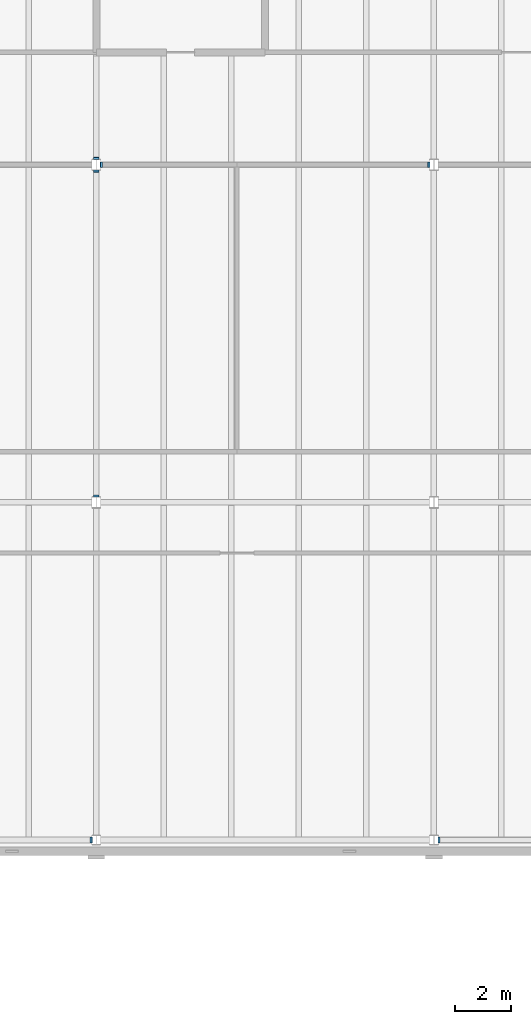
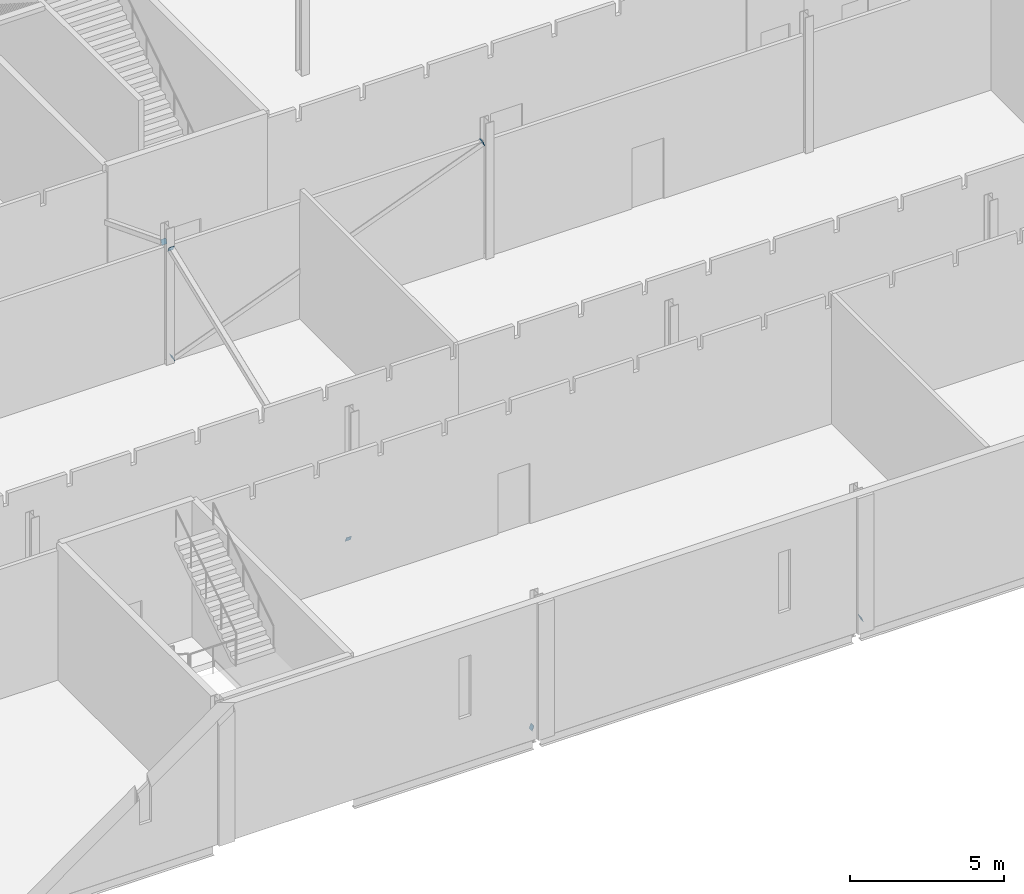
# One storey, part 138 of 170: 7 discrete accessories.
"""IFC4 building model written with IfcOpenShell, lengths in metres."""

from ifc_helpers import new_model, si_unit, direction, frame, origin, origin_2d, place, context, subcontext, project, spatial, rectangle, extrude, material, material_profile, profile_set, type_object, element, save


model = new_model("IFC4")

# Units and contexts
model_context = context("Model", 3, precision=1e-05, world=origin(), true_north=direction((0.0, 1.0)))
body_context = subcontext(model_context, "Body", "Model", "MODEL_VIEW")
ifc_project = project(units=[si_unit("LENGTHUNIT", "METRE"), si_unit("AREAUNIT", "SQUARE_METRE"), si_unit("VOLUMEUNIT", "CUBIC_METRE"), si_unit("PLANEANGLEUNIT", "RADIAN"), si_unit("MASSUNIT", "GRAM", prefix="KILO")], contexts=[model_context])

# Site, building, storey
site_placement = place(None, origin())
site = spatial("IfcSite", under=ifc_project, at=site_placement, CompositionType="ELEMENT")
building_placement = place(site_placement, origin())
building = spatial("IfcBuilding", under=site, at=building_placement, Name="Ravi Spectrum Wholesale Market", CompositionType="ELEMENT")
storey_placement = place(building_placement, frame((0.0, 0.0, 5.39990234375)))
storey = spatial("IfcBuildingStorey", under=building, at=storey_placement, Name="L01", CompositionType="ELEMENT", Elevation=5.39990234375)

# Discrete accessories
ifc_material = material(Name="Steel S355", Category="steel")
ifc_material_profile = material_profile(ifc_material, rectangle(XDim=0.199951171875, YDim=0.199951171875, at=origin_2d()))
ifc_profile_set = profile_set([ifc_material_profile], Name="Steel S355")
discrete_accessory_type = type_object("IfcDiscreteAccessoryType", Name="End plate SHS 200x200x8", PredefinedType="BRACKET", material=ifc_profile_set)
for number, where, z_axis, x_axis, name in (
    (1, (245.814208984375, 18.0, 0.093505859375), (0.931242779706, 0.0, -0.364399348581), (0.0, 1.0, 0.0), "End plate"),
    (2, (258.185791015625, 18.0, 0.093505859375), (-0.931242779706, 0.0, -0.364399348581), (0.0, -1.0, 0.0), "End plate"),
    (3, (246.185791015625, 42.0, 0.093505859375), (-0.931242779706, 0.0, -0.364399348581), (0.0, -1.0, 0.0), "End plate"),
    (4, (257.814208984375, 42.0, 4.556640625), (0.931242779706, 0.0, 0.364399348581), (0.0, 1.0, 0.0), "End plate"),
    (5, (246.0, 30.236572265625, 0.09326171875), (0.0, -0.931242779706, -0.364399348581), (1.0, 0.0, 0.0), "End plate"),
    (6, (246.0, 41.763427734375, 4.60693359375), (0.0, 0.931242779706, 0.364399348581), (-1.0, 0.0, 0.0), "End plate"),
    (7, (246.0, 42.236572265625, 4.60693359375), (0.0, -0.931242779706, 0.364399348581), (1.0, 0.0, 0.0), "End plate"),
):
    element("IfcDiscreteAccessory", number, at=place(storey_placement, frame(where, z_axis=z_axis, x_axis=x_axis)), inside=storey, type_object=discrete_accessory_type, Name=name, PredefinedType="BRACKET", context=body_context, shape_type="SweptSolid", body=[
        extrude(rectangle(XDim=0.199951171875, YDim=0.199951171875, at=origin_2d()), origin(), (0.0, 0.0, 1.0), 0.011962890625),
    ])

save(model, "model.ifc")
